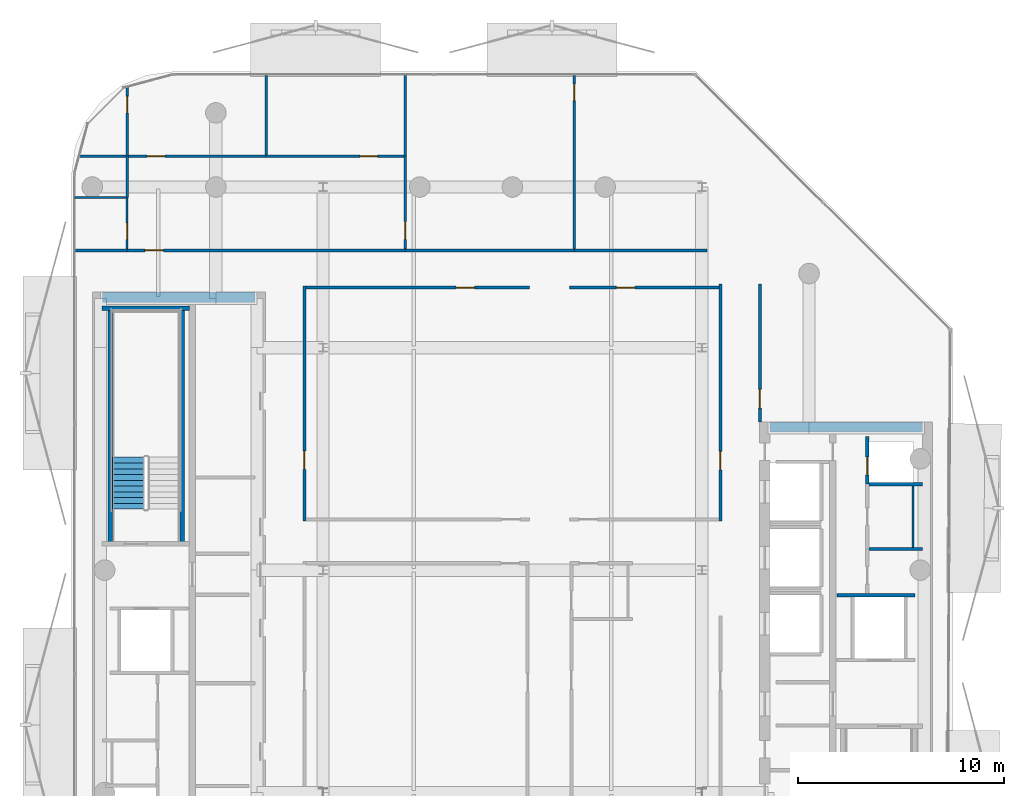
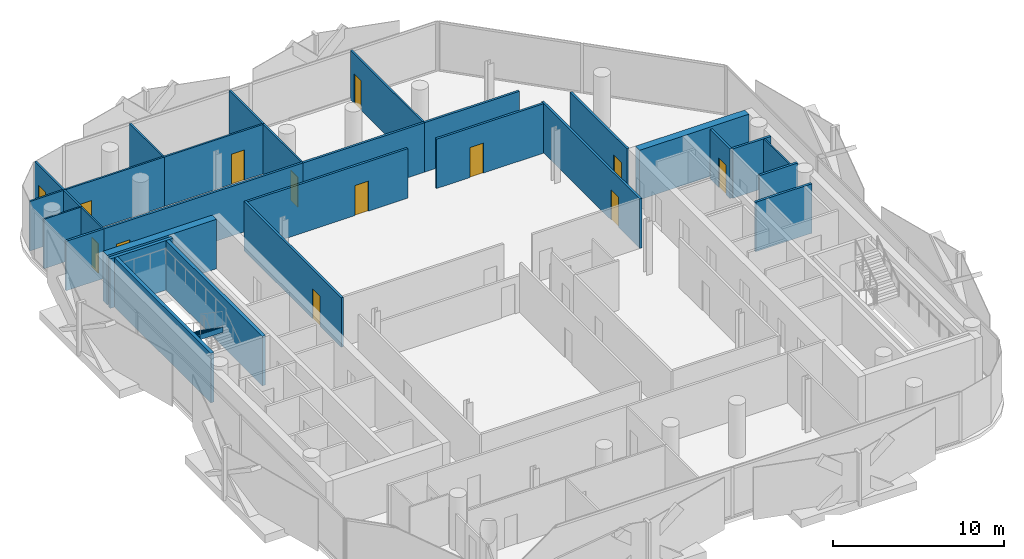
# One storey, part 7 of 16: 29 walls, 13 doors, 1 stair flight, 13 openings, 1 element without a shape of its own.
"""IFC4 building model written with IfcOpenShell, lengths in metres."""

from ifc_helpers import new_model, si_unit, direction, frame, frame_2d, origin, place, context, subcontext, project, spatial, polyline, rectangle, outline, extrude, material, layer, layer_set, type_object, element, fill, aggregate, save


model = new_model("IFC4")

# Units and contexts
model_context = context("Model", 3, precision=1e-05, world=origin(), true_north=direction((0.0, 1.0)))
body_context = subcontext(model_context, "Body", "Model", "MODEL_VIEW")
ifc_project = project(units=[si_unit("LENGTHUNIT", "METRE"), si_unit("AREAUNIT", "SQUARE_METRE"), si_unit("VOLUMEUNIT", "CUBIC_METRE"), si_unit("PLANEANGLEUNIT", "RADIAN"), si_unit("MASSUNIT", "GRAM", prefix="KILO")], contexts=[model_context])

# Site, building, storey
site_placement = place(None, origin())
site = spatial("IfcSite", under=ifc_project, at=site_placement, CompositionType="ELEMENT")
building_placement = place(site_placement, origin())
building = spatial("IfcBuilding", under=site, at=building_placement, Name="Khairoan Windgate Tower", CompositionType="ELEMENT")
storey_placement = place(building_placement, frame((0.0, 0.0, 292.800048828125)))
storey = spatial("IfcBuildingStorey", under=building, at=storey_placement, Name="L70", CompositionType="ELEMENT", Elevation=292.800048828125)

# Wall
ifc_material_1 = material(Name="Moisture-Resistant Gypsum Partition", Category="gypsum")
ifc_layer_1 = layer(ifc_material_1, 0.10009765625, Name="Moisture-Resistant Gypsum Partition")
ifc_layer_set_1 = layer_set([ifc_layer_1], Name="Moisture-Resistant Gypsum Partition")
wall_type_1 = type_object("IfcWallType", Name="Bathroom Wet-Area Partition Wall", PredefinedType="PARTITIONING", material=ifc_layer_set_1)
wall_1_placement = place(storey_placement, frame((-21.2548828125, 18.10009765625, 0.0), z_axis=(0.0, 0.0, 1.0), x_axis=(1.0, 0.0, 0.0)))
element("IfcWall", 1, at=wall_1_placement, inside=storey, type_object=wall_type_1, Name="L70 Interior Partition 039", PredefinedType="PARTITIONING", context=body_context, shape_type="SweptSolid", body=[
    extrude(rectangle(XDim=2.494873046875, YDim=0.10009765625, at=frame_2d((1.24755859375, 0.0))), origin(), (0.0, 0.0, 1.0), 3.5400390625),
])

# Wall, opening, door
wall_2_placement = place(storey_placement, frame((-18.7099609375, 15.60009765625, 0.0), z_axis=(0.0, 0.0, 1.0), x_axis=(0.0, 1.0, 0.0)))
wall_2 = element("IfcWall", 2, at=wall_2_placement, inside=storey, type_object=wall_type_1, Name="L70 Interior Partition 040", PredefinedType="PARTITIONING", context=body_context, shape_type="SweptSolid", body=[
    extrude(rectangle(XDim=2.5, YDim=0.10009765625, at=frame_2d((1.25, 0.0))), origin(), (0.0, 0.0, 1.0), 3.5400390625),
])
opening_1_placement = place(wall_2_placement, frame((0.4599609375, 0.0, 0.0)))
opening_1 = element("IfcOpeningElement", 3, at=opening_1_placement, cuts=wall_2, Name="Opening ID-BTH", PredefinedType="OPENING", context=body_context, shape_type="SweptSolid", body=[
    extrude(rectangle(XDim=0.800048828125, YDim=2.10009765625, at=frame_2d((0.39990234375, 1.050048828125))), frame((0.0, 0.06005859375, 0.0), z_axis=(0.0, -1.0, 0.0), x_axis=(1.0, 0.0, 0.0)), (0.0, 0.0, 1.0), 0.1201171875),
])
ifc_material_2 = material(Name="Teak Veneer Timber Leaf", Category="wood")
door_type_1 = type_object("IfcDoorType", Name="Internal Bathroom Door ID-BTH 800x2100", OperationType="NOTDEFINED", PredefinedType="DOOR", material=ifc_material_2)
door_1_placement = place(opening_1_placement, origin())
door_1 = element("IfcDoor", 4, at=door_1_placement, inside=storey, type_object=door_type_1, Name="L70 L70-35-L70-37 Door", OperationType="SINGLE_SWING_RIGHT", OverallHeight=2.10009765625, OverallWidth=0.800048828125, PredefinedType="DOOR", context=body_context, shape_type="SweptSolid", body=[
    extrude(rectangle(XDim=0.800048828125, YDim=2.10009765625, at=frame_2d((0.39990234375, 1.050048828125))), frame((0.0, 0.02490234375, 0.0), z_axis=(0.0, -1.0, 0.0), x_axis=(1.0, 0.0, 0.0)), (0.0, 0.0, 1.0), 0.050048828125),
])
fill(opening_1, door_1)

# Walls
wall_3_placement = place(storey_placement, frame((19.449951171875, 4.090087890625, 0.0), z_axis=(0.0, 0.0, 1.0), x_axis=(0.0, -1.0, 0.0)))
element("IfcWall", 5, at=wall_3_placement, inside=storey, type_object=wall_type_1, Name="L70 Wet Room Side Wall 061", PredefinedType="PARTITIONING", context=body_context, shape_type="SweptSolid", body=[
    extrude(rectangle(XDim=2.97998046875, YDim=0.10009765625, at=frame_2d((1.489990234375, 0.0))), origin(), (0.0, 0.0, 1.0), 3.5400390625),
])
ifc_material_3 = material(Name="Concrete C40/50", Category="concrete")
ifc_layer_2 = layer(ifc_material_3, 0.159912109375, Name="Concrete C40/50")
ifc_layer_set_2 = layer_set([ifc_layer_2], Name="Concrete C40/50")
wall_type_2 = type_object("IfcWallType", Name="Core and Hoistway Enclosure Wall", PredefinedType="STANDARD", material=ifc_layer_set_2)
wall_4_placement = place(storey_placement, frame((15.75, -1.219970703125, 0.0), z_axis=(0.0, 0.0, 1.0), x_axis=(1.0, 0.0, 0.0)))
element("IfcWall", 6, at=wall_4_placement, inside=storey, type_object=wall_type_2, Name="L70 Core Shaft Wall SW-FL1T-L70", PredefinedType="STANDARD", context=body_context, shape_type="SweptSolid", body=[
    extrude(rectangle(XDim=3.800048828125, YDim=0.159912109375, at=frame_2d((1.89990234375, 0.0))), origin(), (0.0, 0.0, 1.0), 3.5400390625),
])
ifc_material_4 = material(Name="Gypsum Stud Partition", Category="gypsum")
ifc_layer_3 = layer(ifc_material_4, 0.1201171875, Name="Gypsum Stud Partition")
ifc_layer_set_3 = layer_set([ifc_layer_3], Name="Gypsum Stud Partition")
wall_type_3 = type_object("IfcWallType", Name="Internal Room Partition Wall", PredefinedType="PARTITIONING", material=ifc_layer_set_3)
wall_5_placement = place(storey_placement, frame((-18.7099609375, 18.10009765625, 0.0), z_axis=(0.0, 0.0, 1.0), x_axis=(0.0, 1.0, 0.0)))
element("IfcWall", 7, at=wall_5_placement, inside=storey, type_object=wall_type_3, Name="L70 Interior Partition 041", PredefinedType="PARTITIONING", context=body_context, shape_type="SweptSolid", body=[
    extrude(rectangle(XDim=2.0, YDim=0.1201171875, at=frame_2d((1.0, 0.0))), origin(), (0.0, 0.0, 1.0), 3.5400390625),
])

# Wall, opening, door
wall_6_placement = place(storey_placement, frame((-18.7099609375, 20.10009765625, 0.0), z_axis=(0.0, 0.0, 1.0), x_axis=(0.0, 1.0, 0.0)))
wall_6 = element("IfcWall", 8, at=wall_6_placement, inside=storey, type_object=wall_type_3, Name="L70 Interior Partition 042", PredefinedType="PARTITIONING", context=body_context, shape_type="SweptSolid", body=[
    extrude(rectangle(XDim=3.361328125, YDim=0.1201171875, at=frame_2d((1.6806640625, 0.0))), origin(), (0.0, 0.0, 1.0), 3.5400390625),
])
opening_2_placement = place(wall_6_placement, frame((2.1015625, 0.0, 0.0)))
opening_2 = element("IfcOpeningElement", 9, at=opening_2_placement, cuts=wall_6, Name="Opening ID-BTH", PredefinedType="OPENING", context=body_context, shape_type="SweptSolid", body=[
    extrude(rectangle(XDim=0.800048828125, YDim=2.10009765625, at=frame_2d((0.39990234375, 1.050048828125))), frame((0.0, 0.070068359375, 0.0), z_axis=(0.0, -1.0, 0.0), x_axis=(1.0, 0.0, 0.0)), (0.0, 0.0, 1.0), 0.14013671875),
])
door_2_placement = place(opening_2_placement, origin())
door_2 = element("IfcDoor", 10, at=door_2_placement, inside=storey, type_object=door_type_1, Name="L70 L70-36-L70-40 Door", OperationType="SINGLE_SWING_LEFT", OverallHeight=2.10009765625, OverallWidth=0.800048828125, PredefinedType="DOOR", context=body_context, shape_type="SweptSolid", body=[
    extrude(rectangle(XDim=0.800048828125, YDim=2.10009765625, at=frame_2d((0.39990234375, 1.050048828125))), frame((0.0, 0.02490234375, 0.0), z_axis=(0.0, -1.0, 0.0), x_axis=(1.0, 0.0, 0.0)), (0.0, 0.0, 1.0), 0.050048828125),
])
fill(opening_2, door_2)

wall_7_placement = place(storey_placement, frame((-5.2099609375, 15.60009765625, 0.0), z_axis=(0.0, 0.0, 1.0), x_axis=(0.0, 1.0, 0.0)))
wall_7 = element("IfcWall", 11, at=wall_7_placement, inside=storey, type_object=wall_type_3, Name="L70 Interior Partition 043", PredefinedType="PARTITIONING", context=body_context, shape_type="SweptSolid", body=[
    extrude(rectangle(XDim=4.5, YDim=0.1201171875, at=frame_2d((2.25, 0.0))), origin(), (0.0, 0.0, 1.0), 3.5400390625),
])
opening_3_placement = place(wall_7_placement, frame((0.4599609375, 0.0, 0.0)))
opening_3 = element("IfcOpeningElement", 12, at=opening_3_placement, cuts=wall_7, Name="Opening ID-RM", PredefinedType="OPENING", context=body_context, shape_type="SweptSolid", body=[
    extrude(rectangle(XDim=0.860107421875, YDim=2.14990234375, at=frame_2d((0.43017578125, 1.074951171875))), frame((0.0, 0.070068359375, 0.0), z_axis=(0.0, -1.0, 0.0), x_axis=(1.0, 0.0, 0.0)), (0.0, 0.0, 1.0), 0.14013671875),
])
ifc_material_5 = material(Name="Teak Veneer Timber Leaf", Category="wood")
door_type_2 = type_object("IfcDoorType", Name="Internal Bedroom and Office Door ID-RM 860x2150", OperationType="NOTDEFINED", PredefinedType="DOOR", material=ifc_material_5)
door_3_placement = place(opening_3_placement, origin())
door_3 = element("IfcDoor", 13, at=door_3_placement, inside=storey, type_object=door_type_2, Name="L70 L70-37-L70-38 Door", OperationType="SINGLE_SWING_RIGHT", OverallHeight=2.14990234375, OverallWidth=0.860107421875, PredefinedType="DOOR", context=body_context, shape_type="SweptSolid", body=[
    extrude(rectangle(XDim=0.860107421875, YDim=2.14990234375, at=frame_2d((0.43017578125, 1.074951171875))), frame((0.0, 0.02490234375, 0.0), z_axis=(0.0, -1.0, 0.0), x_axis=(1.0, 0.0, 0.0)), (0.0, 0.0, 1.0), 0.050048828125),
])
fill(opening_3, door_3)

wall_8_placement = place(storey_placement, frame((-21.03857421875, 20.10009765625, 0.0), z_axis=(0.0, 0.0, 1.0), x_axis=(1.0, 0.0, 0.0)))
wall_8 = element("IfcWall", 14, at=wall_8_placement, inside=storey, type_object=wall_type_3, Name="L70 Interior Partition 044", PredefinedType="PARTITIONING", context=body_context, shape_type="SweptSolid", body=[
    extrude(rectangle(XDim=9.07861328125, YDim=0.1201171875, at=frame_2d((4.539306640625, 0.0))), origin(), (0.0, 0.0, 1.0), 3.5400390625),
])
opening_4_placement = place(wall_8_placement, frame((3.29833984375, 0.0, 0.0)))
opening_4 = element("IfcOpeningElement", 15, at=opening_4_placement, cuts=wall_8, Name="Opening ID-RM", PredefinedType="OPENING", context=body_context, shape_type="SweptSolid", body=[
    extrude(rectangle(XDim=0.860107421875, YDim=2.14990234375, at=frame_2d((0.43017578125, 1.074951171875))), frame((0.0, 0.070068359375, 0.0), z_axis=(0.0, -1.0, 0.0), x_axis=(1.0, 0.0, 0.0)), (0.0, 0.0, 1.0), 0.14013671875),
])
door_4_placement = place(opening_4_placement, origin())
door_4 = element("IfcDoor", 16, at=door_4_placement, inside=storey, type_object=door_type_2, Name="L70 L70-37-L70-40 Door", OperationType="SINGLE_SWING_LEFT", OverallHeight=2.14990234375, OverallWidth=0.860107421875, PredefinedType="DOOR", context=body_context, shape_type="SweptSolid", body=[
    extrude(rectangle(XDim=0.860107421875, YDim=2.14990234375, at=frame_2d((0.43017578125, 1.074951171875))), frame((0.0, 0.02490234375, 0.0), z_axis=(0.0, -1.0, 0.0), x_axis=(1.0, 0.0, 0.0)), (0.0, 0.0, 1.0), 0.050048828125),
])
fill(opening_4, door_4)

wall_9_placement = place(storey_placement, frame((-11.9599609375, 20.10009765625, 0.0), z_axis=(0.0, 0.0, 1.0), x_axis=(1.0, 0.0, 0.0)))
wall_9 = element("IfcWall", 17, at=wall_9_placement, inside=storey, type_object=wall_type_3, Name="L70 Interior Partition 045", PredefinedType="PARTITIONING", context=body_context, shape_type="SweptSolid", body=[
    extrude(rectangle(XDim=6.68994140625, YDim=0.1201171875, at=frame_2d((3.344970703125, 0.0))), origin(), (0.0, 0.0, 1.0), 3.5400390625),
])
opening_5_placement = place(wall_9_placement, frame((4.5517578125, 0.0, 0.0)))
opening_5 = element("IfcOpeningElement", 18, at=opening_5_placement, cuts=wall_9, Name="Opening ID-RM", PredefinedType="OPENING", context=body_context, shape_type="SweptSolid", body=[
    extrude(rectangle(XDim=0.860107421875, YDim=2.14990234375, at=frame_2d((0.43017578125, 1.074951171875))), frame((0.0, 0.070068359375, 0.0), z_axis=(0.0, -1.0, 0.0), x_axis=(1.0, 0.0, 0.0)), (0.0, 0.0, 1.0), 0.14013671875),
])
door_5_placement = place(opening_5_placement, origin())
door_5 = element("IfcDoor", 19, at=door_5_placement, inside=storey, type_object=door_type_2, Name="L70 L70-37-L70-41 Door", OperationType="SINGLE_SWING_RIGHT", OverallHeight=2.14990234375, OverallWidth=0.860107421875, PredefinedType="DOOR", context=body_context, shape_type="SweptSolid", body=[
    extrude(rectangle(XDim=0.860107421875, YDim=2.14990234375, at=frame_2d((0.43017578125, 1.074951171875))), frame((0.0, 0.02490234375, 0.0), z_axis=(0.0, -1.0, 0.0), x_axis=(1.0, 0.0, 0.0)), (0.0, 0.0, 1.0), 0.050048828125),
])
fill(opening_5, door_5)

wall_10_placement = place(storey_placement, frame((3.0048828125, 15.60009765625, 0.0), z_axis=(0.0, 0.0, 1.0), x_axis=(0.0, 1.0, 0.0)))
wall_10 = element("IfcWall", 20, at=wall_10_placement, inside=storey, type_object=wall_type_3, Name="L70 Interior Partition 046", PredefinedType="PARTITIONING", context=body_context, shape_type="SweptSolid", body=[
    extrude(rectangle(XDim=8.454833984375, YDim=0.1201171875, at=frame_2d((4.2275390625, 0.0))), origin(), (0.0, 0.0, 1.0), 3.5400390625),
])
opening_6_placement = place(wall_10_placement, frame((7.195068359375, 0.0, 0.0)))
opening_6 = element("IfcOpeningElement", 21, at=opening_6_placement, cuts=wall_10, Name="Opening ID-BTH", PredefinedType="OPENING", context=body_context, shape_type="SweptSolid", body=[
    extrude(rectangle(XDim=0.800048828125, YDim=2.10009765625, at=frame_2d((0.39990234375, 1.050048828125))), frame((0.0, 0.070068359375, 0.0), z_axis=(0.0, -1.0, 0.0), x_axis=(1.0, 0.0, 0.0)), (0.0, 0.0, 1.0), 0.14013671875),
])
door_6_placement = place(opening_6_placement, origin())
door_6 = element("IfcDoor", 22, at=door_6_placement, inside=storey, type_object=door_type_1, Name="L70 L70-38-L70-39 Door", OperationType="SINGLE_SWING_RIGHT", OverallHeight=2.10009765625, OverallWidth=0.800048828125, PredefinedType="DOOR", context=body_context, shape_type="SweptSolid", body=[
    extrude(rectangle(XDim=0.800048828125, YDim=2.10009765625, at=frame_2d((0.39990234375, 1.050048828125))), frame((0.0, 0.02490234375, 0.0), z_axis=(0.0, -1.0, 0.0), x_axis=(1.0, 0.0, 0.0)), (0.0, 0.0, 1.0), 0.050048828125),
])
fill(opening_6, door_6)

# Walls
wall_11_placement = place(storey_placement, frame((-5.2099609375, 20.10009765625, 0.0), z_axis=(0.0, 0.0, 1.0), x_axis=(0.0, 1.0, 0.0)))
element("IfcWall", 23, at=wall_11_placement, inside=storey, type_object=wall_type_3, Name="L70 Interior Partition 047", PredefinedType="PARTITIONING", context=body_context, shape_type="SweptSolid", body=[
    extrude(rectangle(XDim=3.954833984375, YDim=0.1201171875, at=frame_2d((1.9775390625, 0.0))), origin(), (0.0, 0.0, 1.0), 3.5400390625),
])
wall_12_placement = place(storey_placement, frame((-11.9599609375, 20.159912109375, 0.0), z_axis=(0.0, 0.0, 1.0), x_axis=(0.0, 1.0, 0.0)))
element("IfcWall", 24, at=wall_12_placement, inside=storey, type_object=wall_type_3, Name="L70 Interior Partition 048", PredefinedType="PARTITIONING", context=body_context, shape_type="SweptSolid", body=[
    extrude(rectangle(XDim=3.89501953125, YDim=0.1201171875, at=frame_2d((1.947509765625, 0.0))), origin(), (0.0, 0.0, 1.0), 3.5400390625),
])

# Wall, opening, door
ifc_material_6 = material(Name="Concrete C40/50", Category="concrete")
ifc_layer_4 = layer(ifc_material_6, 0.159912109375, Name="Concrete C40/50")
ifc_layer_set_4 = layer_set([ifc_layer_4], Name="Concrete C40/50")
wall_type_4 = type_object("IfcWallType", Name="Plant and Refuge Compartment Wall", PredefinedType="PARTITIONING", material=ifc_layer_set_4)
wall_13_placement = place(storey_placement, frame((17.22998046875, 4.169921875, 0.0), z_axis=(0.0, 0.0, 1.0), x_axis=(0.0, 1.0, 0.0)))
wall_13 = element("IfcWall", 25, at=wall_13_placement, inside=storey, type_object=wall_type_4, Name="L70 Interior Partition 008", PredefinedType="PARTITIONING", context=body_context, shape_type="SweptSolid", body=[
    extrude(rectangle(XDim=2.320068359375, YDim=0.159912109375, at=frame_2d((1.16015625, 0.0))), origin(), (0.0, 0.0, 1.0), 3.5400390625),
])
opening_7_placement = place(wall_13_placement, frame((0.4599609375, 0.0, 0.0)))
opening_7 = element("IfcOpeningElement", 26, at=opening_7_placement, cuts=wall_13, Name="Opening FD-SRV", PredefinedType="OPENING", context=body_context, shape_type="SweptSolid", body=[
    extrude(rectangle(XDim=0.85009765625, YDim=2.10009765625, at=frame_2d((0.425048828125, 1.050048828125))), frame((0.0, 0.08984375, 0.0), z_axis=(0.0, -1.0, 0.0), x_axis=(1.0, 0.0, 0.0)), (0.0, 0.0, 1.0), 0.179931640625),
])
ifc_material_7 = material(Name="Steel S355", Category="steel")
door_type_3 = type_object("IfcDoorType", Name="Core Service and Riser Fire Door FD-SRV 850x2100", OperationType="NOTDEFINED", PredefinedType="DOOR", material=ifc_material_7)
door_7_placement = place(opening_7_placement, origin())
door_7 = element("IfcDoor", 27, at=door_7_placement, inside=storey, type_object=door_type_3, Name="L70 L70-17-L70-18 Door", OperationType="SINGLE_SWING_LEFT", OverallHeight=2.10009765625, OverallWidth=0.85009765625, PredefinedType="DOOR", context=body_context, shape_type="SweptSolid", body=[
    extrude(rectangle(XDim=0.85009765625, YDim=2.10009765625, at=frame_2d((0.425048828125, 1.050048828125))), frame((0.0, 0.02490234375, 0.0), z_axis=(0.0, -1.0, 0.0), x_axis=(1.0, 0.0, 0.0)), (0.0, 0.0, 1.0), 0.050048828125),
])
fill(opening_7, door_7)

# Walls
for number, where, z_axis, x_axis, name in (
    (28, (17.31005859375, 4.169921875, 0.0), (0.0, 0.0, 1.0), (1.0, 0.0, 0.0), "L70 Interior Partition 011"),
    (29, (17.31005859375, 1.030029296875, 0.0), (0.0, 0.0, 1.0), (1.0, 0.0, 0.0), "L70 Interior Partition 012"),
):
    element("IfcWall", number, at=place(storey_placement, frame(where, z_axis=z_axis, x_axis=x_axis)), inside=storey, type_object=wall_type_4, Name=name, PredefinedType="PARTITIONING", context=body_context, shape_type="SweptSolid", body=[
        extrude(rectangle(XDim=2.58984375, YDim=0.159912109375, at=frame_2d((1.294921875, 0.0))), origin(), (0.0, 0.0, 1.0), 3.5400390625),
    ])

# Wall, opening, door
ifc_material_8 = material(Name="Acoustic Fire-Rated Gypsum Partition", Category="gypsum")
ifc_layer_5 = layer(ifc_material_8, 0.14990234375, Name="Acoustic Fire-Rated Gypsum Partition")
ifc_layer_set_5 = layer_set([ifc_layer_5], Name="Acoustic Fire-Rated Gypsum Partition")
wall_type_5 = type_object("IfcWallType", Name="Rated Corridor Partition Wall", PredefinedType="PARTITIONING", material=ifc_layer_set_5)
wall_14_placement = place(storey_placement, frame((-10.10009765625, 2.389892578125, 0.0), z_axis=(0.0, 0.0, 1.0), x_axis=(0.0, 1.0, 0.0)))
wall_14 = element("IfcWall", 30, at=wall_14_placement, inside=storey, type_object=wall_type_5, Name="L70 Interior Partition 015", PredefinedType="PARTITIONING", context=body_context, shape_type="SweptSolid", body=[
    extrude(rectangle(XDim=11.405029296875, YDim=0.14990234375, at=frame_2d((5.70263671875, 0.0))), origin(), (0.0, 0.0, 1.0), 3.5400390625),
])
opening_8_placement = place(wall_14_placement, frame((2.49951171875, 0.0, 0.0)))
opening_8 = element("IfcOpeningElement", 31, at=opening_8_placement, cuts=wall_14, Name="Opening FD-ENT", PredefinedType="OPENING", context=body_context, shape_type="SweptSolid", body=[
    extrude(rectangle(XDim=0.89990234375, YDim=2.14990234375, at=frame_2d((0.449951171875, 1.074951171875))), frame((0.0, 0.0849609375, 0.0), z_axis=(0.0, -1.0, 0.0), x_axis=(1.0, 0.0, 0.0)), (0.0, 0.0, 1.0), 0.169921875),
])
ifc_material_9 = material(Name="Timber Fire-Rated Core", Category="wood")
door_type_4 = type_object("IfcDoorType", Name="Unit and Office Fire Entrance Door FD-ENT 900x2150", OperationType="NOTDEFINED", PredefinedType="DOOR", material=ifc_material_9)
door_8_placement = place(opening_8_placement, origin())
door_8 = element("IfcDoor", 32, at=door_8_placement, inside=storey, type_object=door_type_4, Name="L70 L70-29-L70-50 Door", OperationType="SINGLE_SWING_RIGHT", OverallHeight=2.14990234375, OverallWidth=0.89990234375, PredefinedType="DOOR", context=body_context, shape_type="SweptSolid", body=[
    extrude(rectangle(XDim=0.89990234375, YDim=2.14990234375, at=frame_2d((0.449951171875, 1.074951171875))), frame((0.0, 0.02490234375, 0.0), z_axis=(0.0, -1.0, 0.0), x_axis=(1.0, 0.0, 0.0)), (0.0, 0.0, 1.0), 0.050048828125),
])
fill(opening_8, door_8)

wall_15_placement = place(storey_placement, frame((12.014892578125, 7.199951171875, 0.0), z_axis=(0.0, 0.0, 1.0), x_axis=(0.0, 1.0, 0.0)))
wall_15 = element("IfcWall", 33, at=wall_15_placement, inside=storey, type_object=wall_type_5, Name="L70 Interior Partition 017", PredefinedType="PARTITIONING", context=body_context, shape_type="SweptSolid", body=[
    extrude(rectangle(XDim=6.679931640625, YDim=0.14990234375, at=frame_2d((3.33984375, 0.0))), origin(), (0.0, 0.0, 1.0), 3.5400390625),
])
opening_9_placement = place(wall_15_placement, frame((0.669921875, 0.0, 0.0)))
opening_9 = element("IfcOpeningElement", 34, at=opening_9_placement, cuts=wall_15, Name="Opening FD-ENT", PredefinedType="OPENING", context=body_context, shape_type="SweptSolid", body=[
    extrude(rectangle(XDim=0.89990234375, YDim=2.14990234375, at=frame_2d((0.449951171875, 1.074951171875))), frame((0.0, 0.0849609375, 0.0), z_axis=(0.0, -1.0, 0.0), x_axis=(1.0, 0.0, 0.0)), (0.0, 0.0, 1.0), 0.169921875),
])
door_9_placement = place(opening_9_placement, origin())
door_9 = element("IfcDoor", 35, at=door_9_placement, inside=storey, type_object=door_type_4, Name="L70 L70-30-L70-49 Door", OperationType="SINGLE_SWING_RIGHT", OverallHeight=2.14990234375, OverallWidth=0.89990234375, PredefinedType="DOOR", context=body_context, shape_type="SweptSolid", body=[
    extrude(rectangle(XDim=0.89990234375, YDim=2.14990234375, at=frame_2d((0.449951171875, 1.074951171875))), frame((0.0, 0.02490234375, 0.0), z_axis=(0.0, -1.0, 0.0), x_axis=(1.0, 0.0, 0.0)), (0.0, 0.0, 1.0), 0.050048828125),
])
fill(opening_9, door_9)

wall_16_placement = place(storey_placement, frame((10.10009765625, 2.389892578125, 0.0), z_axis=(0.0, 0.0, 1.0), x_axis=(0.0, 1.0, 0.0)))
wall_16 = element("IfcWall", 36, at=wall_16_placement, inside=storey, type_object=wall_type_5, Name="L70 Interior Partition 018", PredefinedType="PARTITIONING", context=body_context, shape_type="SweptSolid", body=[
    extrude(rectangle(XDim=11.489990234375, YDim=0.14990234375, at=frame_2d((5.7451171875, 0.0))), origin(), (0.0, 0.0, 1.0), 3.5400390625),
])
opening_10_placement = place(wall_16_placement, frame((2.474609375, 0.0, 0.0)))
opening_10 = element("IfcOpeningElement", 37, at=opening_10_placement, cuts=wall_16, Name="Opening FD-ENT", PredefinedType="OPENING", context=body_context, shape_type="SweptSolid", body=[
    extrude(rectangle(XDim=0.89990234375, YDim=2.14990234375, at=frame_2d((0.449951171875, 1.074951171875))), frame((0.0, 0.0849609375, 0.0), z_axis=(0.0, -1.0, 0.0), x_axis=(1.0, 0.0, 0.0)), (0.0, 0.0, 1.0), 0.169921875),
])
door_10_placement = place(opening_10_placement, origin())
door_10 = element("IfcDoor", 38, at=door_10_placement, inside=storey, type_object=door_type_4, Name="L70 L70-30-L70-52 Door", OperationType="SINGLE_SWING_LEFT", OverallHeight=2.14990234375, OverallWidth=0.89990234375, PredefinedType="DOOR", context=body_context, shape_type="SweptSolid", body=[
    extrude(rectangle(XDim=0.89990234375, YDim=2.14990234375, at=frame_2d((0.449951171875, 1.074951171875))), frame((0.0, 0.02490234375, 0.0), z_axis=(0.0, -1.0, 0.0), x_axis=(1.0, 0.0, 0.0)), (0.0, 0.0, 1.0), 0.050048828125),
])
fill(opening_10, door_10)

# Wall
wall_17_placement = place(storey_placement, frame((-21.2548828125, 15.52490234375, 0.0), z_axis=(0.0, 0.0, 1.0), x_axis=(1.0, 0.0, 0.0)))
element("IfcWall", 39, at=wall_17_placement, inside=storey, type_object=wall_type_5, Name="L70 Interior Partition 027", PredefinedType="PARTITIONING", context=body_context, shape_type="SweptSolid", body=[
    extrude(rectangle(XDim=2.544921875, YDim=0.14990234375, at=frame_2d((1.2724609375, 0.0))), origin(), (0.0, 0.0, 1.0), 3.5400390625),
])

# Wall, opening, door
wall_18_placement = place(storey_placement, frame((-18.7099609375, 15.52490234375, 0.0), z_axis=(0.0, 0.0, 1.0), x_axis=(1.0, 0.0, 0.0)))
wall_18 = element("IfcWall", 40, at=wall_18_placement, inside=storey, type_object=wall_type_5, Name="L70 Interior Partition 028", PredefinedType="PARTITIONING", context=body_context, shape_type="SweptSolid", body=[
    extrude(rectangle(XDim=13.5, YDim=0.14990234375, at=frame_2d((6.75, 0.0))), origin(), (0.0, 0.0, 1.0), 3.5400390625),
])
opening_11_placement = place(wall_18_placement, frame((0.86279296875, 0.0, 0.0)))
opening_11 = element("IfcOpeningElement", 41, at=opening_11_placement, cuts=wall_18, Name="Opening FD-ENT", PredefinedType="OPENING", context=body_context, shape_type="SweptSolid", body=[
    extrude(rectangle(XDim=0.89990234375, YDim=2.14990234375, at=frame_2d((0.449951171875, 1.074951171875))), frame((0.0, 0.0849609375, 0.0), z_axis=(0.0, -1.0, 0.0), x_axis=(1.0, 0.0, 0.0)), (0.0, 0.0, 1.0), 0.169921875),
])
door_11_placement = place(opening_11_placement, origin())
door_11 = element("IfcDoor", 42, at=door_11_placement, inside=storey, type_object=door_type_4, Name="L70 L70-33-L70-37 Door", OperationType="SINGLE_SWING_RIGHT", OverallHeight=2.14990234375, OverallWidth=0.89990234375, PredefinedType="DOOR", context=body_context, shape_type="SweptSolid", body=[
    extrude(rectangle(XDim=0.89990234375, YDim=2.14990234375, at=frame_2d((0.449951171875, 1.074951171875))), frame((0.0, 0.02490234375, 0.0), z_axis=(0.0, -1.0, 0.0), x_axis=(1.0, 0.0, 0.0)), (0.0, 0.0, 1.0), 0.050048828125),
])
fill(opening_11, door_11)

# Walls
wall_19_placement = place(storey_placement, frame((-5.2099609375, 15.52490234375, 0.0), z_axis=(0.0, 0.0, 1.0), x_axis=(1.0, 0.0, 0.0)))
element("IfcWall", 43, at=wall_19_placement, inside=storey, type_object=wall_type_5, Name="L70 Interior Partition 029", PredefinedType="PARTITIONING", context=body_context, shape_type="SweptSolid", body=[
    extrude(rectangle(XDim=8.21484375, YDim=0.14990234375, at=frame_2d((4.107421875, 0.0))), origin(), (0.0, 0.0, 1.0), 3.5400390625),
])
wall_20_placement = place(storey_placement, frame((3.0048828125, 15.52490234375, 0.0), z_axis=(0.0, 0.0, 1.0), x_axis=(1.0, 0.0, 0.0)))
element("IfcWall", 44, at=wall_20_placement, inside=storey, type_object=wall_type_5, Name="L70 Interior Partition 030", PredefinedType="PARTITIONING", context=body_context, shape_type="SweptSolid", body=[
    extrude(rectangle(XDim=6.43505859375, YDim=0.14990234375, at=frame_2d((3.217529296875, 0.0))), origin(), (0.0, 0.0, 1.0), 3.5400390625),
])

# Wall, opening, door
wall_21_placement = place(storey_placement, frame((-10.02490234375, 13.719970703125, 0.0), z_axis=(0.0, 0.0, 1.0), x_axis=(1.0, 0.0, 0.0)))
wall_21 = element("IfcWall", 45, at=wall_21_placement, inside=storey, type_object=wall_type_5, Name="L70 Interior Partition 031", PredefinedType="PARTITIONING", context=body_context, shape_type="SweptSolid", body=[
    extrude(rectangle(XDim=10.85498046875, YDim=0.14990234375, at=frame_2d((5.427490234375, 0.0))), origin(), (0.0, 0.0, 1.0), 3.5400390625),
])
opening_12_placement = place(wall_21_placement, frame((7.286376953125, 0.0, 0.0)))
opening_12 = element("IfcOpeningElement", 46, at=opening_12_placement, cuts=wall_21, Name="Opening FD-ENT", PredefinedType="OPENING", context=body_context, shape_type="SweptSolid", body=[
    extrude(rectangle(XDim=0.89990234375, YDim=2.14990234375, at=frame_2d((0.449951171875, 1.074951171875))), frame((0.0, 0.0849609375, 0.0), z_axis=(0.0, -1.0, 0.0), x_axis=(1.0, 0.0, 0.0)), (0.0, 0.0, 1.0), 0.169921875),
])
door_12_placement = place(opening_12_placement, origin())
door_12 = element("IfcDoor", 47, at=door_12_placement, inside=storey, type_object=door_type_4, Name="L70 L70-33-L70-50 Door", OperationType="SINGLE_SWING_LEFT", OverallHeight=2.14990234375, OverallWidth=0.89990234375, PredefinedType="DOOR", context=body_context, shape_type="SweptSolid", body=[
    extrude(rectangle(XDim=0.89990234375, YDim=2.14990234375, at=frame_2d((0.449951171875, 1.074951171875))), frame((0.0, 0.02490234375, 0.0), z_axis=(0.0, -1.0, 0.0), x_axis=(1.0, 0.0, 0.0)), (0.0, 0.0, 1.0), 0.050048828125),
])
fill(opening_12, door_12)

wall_22_placement = place(storey_placement, frame((2.77001953125, 13.719970703125, 0.0), z_axis=(0.0, 0.0, 1.0), x_axis=(1.0, 0.0, 0.0)))
wall_22 = element("IfcWall", 48, at=wall_22_placement, inside=storey, type_object=wall_type_5, Name="L70 Interior Partition 032", PredefinedType="PARTITIONING", context=body_context, shape_type="SweptSolid", body=[
    extrude(rectangle(XDim=7.2548828125, YDim=0.14990234375, at=frame_2d((3.62744140625, 0.0))), origin(), (0.0, 0.0, 1.0), 3.5400390625),
])
opening_13_placement = place(wall_22_placement, frame((2.27880859375, 0.0, 0.0)))
opening_13 = element("IfcOpeningElement", 49, at=opening_13_placement, cuts=wall_22, Name="Opening FD-ENT", PredefinedType="OPENING", context=body_context, shape_type="SweptSolid", body=[
    extrude(rectangle(XDim=0.89990234375, YDim=2.14990234375, at=frame_2d((0.449951171875, 1.074951171875))), frame((0.0, 0.0849609375, 0.0), z_axis=(0.0, -1.0, 0.0), x_axis=(1.0, 0.0, 0.0)), (0.0, 0.0, 1.0), 0.169921875),
])
door_13_placement = place(opening_13_placement, origin())
door_13 = element("IfcDoor", 50, at=door_13_placement, inside=storey, type_object=door_type_4, Name="L70 L70-33-L70-52 Door", OperationType="SINGLE_SWING_RIGHT", OverallHeight=2.14990234375, OverallWidth=0.89990234375, PredefinedType="DOOR", context=body_context, shape_type="SweptSolid", body=[
    extrude(rectangle(XDim=0.89990234375, YDim=2.14990234375, at=frame_2d((0.449951171875, 1.074951171875))), frame((0.0, 0.02490234375, 0.0), z_axis=(0.0, -1.0, 0.0), x_axis=(1.0, 0.0, 0.0)), (0.0, 0.0, 1.0), 0.050048828125),
])
fill(opening_13, door_13)

# Walls
ifc_material_10 = material(Name="Concrete C50/60", Category="concrete")
ifc_layer_6 = layer(ifc_material_10, 0.5, Name="Concrete C50/60")
ifc_layer_set_6 = layer_set([ifc_layer_6], Name="Concrete C50/60")
wall_type_6 = type_object("IfcWallType", Name="Shear Wall CW-E3 500mm", PredefinedType="SHEAR", material=ifc_layer_set_6)
wall_23_placement = place(storey_placement, frame((12.5, 6.949951171875, 0.0), z_axis=(0.0, 0.0, 1.0), x_axis=(1.0, 0.0, 0.0)))
element("IfcWall", 51, at=wall_23_placement, inside=storey, type_object=wall_type_6, Name="E Core North Shear Wall L70", PredefinedType="SHEAR", context=body_context, shape_type="SweptSolid", body=[
    extrude(rectangle(XDim=7.39990234375, YDim=0.5, at=frame_2d((3.699951171875, 0.0))), origin(), (0.0, 0.0, 1.0), 3.5400390625),
])
ifc_material_11 = material(Name="Concrete C50/60", Category="concrete")
ifc_layer_7 = layer(ifc_material_11, 0.5, Name="Concrete C50/60")
ifc_layer_set_7 = layer_set([ifc_layer_7], Name="Concrete C50/60")
wall_type_7 = type_object("IfcWallType", Name="Shear Wall CW-W3 500mm", PredefinedType="SHEAR", material=ifc_layer_set_7)
wall_24_placement = place(storey_placement, frame((-19.89990234375, 13.25, 0.0), z_axis=(0.0, 0.0, 1.0), x_axis=(1.0, 0.0, 0.0)))
element("IfcWall", 52, at=wall_24_placement, inside=storey, type_object=wall_type_7, Name="W Core North Shear Wall L70", PredefinedType="SHEAR", context=body_context, shape_type="SweptSolid", body=[
    extrude(rectangle(XDim=7.39990234375, YDim=0.5, at=frame_2d((3.699951171875, 0.0))), origin(), (0.0, 0.0, 1.0), 3.5400390625),
])
ifc_material_12 = material(Name="Concrete C50/60", Category="concrete")
ifc_layer_8 = layer(ifc_material_12, 0.219970703125, Name="Concrete C50/60")
ifc_layer_set_8 = layer_set([ifc_layer_8], Name="Concrete C50/60")
wall_type_8 = type_object("IfcWallType", Name="Shear Wall SW-ST 220mm", PredefinedType="SHEAR", material=ifc_layer_set_8)
for number, where, z_axis, x_axis, name in (
    (53, (-16.0400390625, 1.2900390625, 0.0), (0.0, 0.0, 1.0), (0.0, 1.0, 0.0), "L70 Stair ST2 East Bearing Wall"),
    (54, (-19.530029296875, 1.2900390625, 0.0), (0.0, 0.0, 1.0), (0.0, 1.0, 0.0), "L70 Stair ST2 West Bearing Wall"),
):
    element("IfcWall", number, at=place(storey_placement, frame(where, z_axis=z_axis, x_axis=x_axis)), inside=storey, type_object=wall_type_8, Name=name, PredefinedType="SHEAR", context=body_context, shape_type="SweptSolid", body=[
        extrude(rectangle(XDim=11.419921875, YDim=0.219970703125, at=frame_2d((5.7099609375, 0.0))), origin(), (0.0, 0.0, 1.0), 3.5400390625),
    ])
wall_25_placement = place(storey_placement, frame((-19.919921875, 12.7099609375, 0.0), z_axis=(0.0, 0.0, 1.0), x_axis=(1.0, 0.0, 0.0)))
element("IfcWall", 55, at=wall_25_placement, inside=storey, type_object=wall_type_8, Name="L70 Stair ST2 North Bearing Wall", PredefinedType="SHEAR", context=body_context, shape_type="SweptSolid", body=[
    extrude(rectangle(XDim=4.239990234375, YDim=0.219970703125, at=frame_2d((2.1201171875, 0.0))), origin(), (0.0, 0.0, 1.0), 3.5400390625),
])

# Stair, stair flight
ifc_material_13 = material(Name="Concrete C40/50", Category="concrete")
stair_type = type_object("IfcStairType", Name="Tower Core Dog-Leg Stair ST-T1 1560mm", PredefinedType="HALF_TURN_STAIR", material=ifc_material_13)
stair_placement = place(storey_placement, origin())
stair = element("IfcStair", 56, at=stair_placement, inside=storey, type_object=stair_type, Name="L70 Stair ST2", PredefinedType="HALF_TURN_STAIR")
ifc_material_14 = material(Name="Concrete C40/50", Category="concrete")
ifc_layer_9 = layer(ifc_material_14, 0.14990234375, Name="Concrete C40/50")
ifc_layer_set_9 = layer_set([ifc_layer_9], Name="Concrete C40/50")
stair_flight_type = type_object("IfcStairFlightType", Name="Tower Core Stair Flight STF-1560", PredefinedType="STRAIGHT", material=ifc_layer_set_9)
stair_flight_placement = place(storey_placement, frame((-18.639892578125, 5.47998046875, 1.89990234375), z_axis=(0.0, 0.0, 1.0), x_axis=(0.0, -1.0, 0.0)))
stair_flight = element("IfcStairFlight", 57, at=stair_flight_placement, type_object=stair_flight_type, Name="ST2 flight 2", NumberOfRisers=10, NumberOfTreads=9, PredefinedType="STRAIGHT", RiserHeight=0.19, TreadLength=0.28, context=body_context, shape_type="SweptSolid", body=[
    extrude(outline(polyline([(-0.00390625, 0.0), (-0.00390625, 0.18994140625), (0.0, 0.18994140625), (0.280029296875, 0.18994140625), (0.280029296875, 0.3798828125), (0.56005859375, 0.3798828125), (0.56005859375, 0.570068359375), (0.840087890625, 0.570068359375), (0.840087890625, 0.760009765625), (1.1201171875, 0.760009765625), (1.1201171875, 0.949951171875), (1.39990234375, 0.949951171875), (1.39990234375, 1.139892578125), (1.679931640625, 1.139892578125), (1.679931640625, 1.330078125), (1.9599609375, 1.330078125), (1.9599609375, 1.52001953125), (2.239990234375, 1.52001953125), (2.239990234375, 1.7099609375), (2.52001953125, 1.7099609375), (2.52001953125, 1.89990234375), (2.52392578125, 1.89990234375), (2.52392578125, 1.52880859375), (0.266845703125, 0.0), (-0.00390625, 0.0)])), frame((0.0, 0.780029296875, 0.0), z_axis=(0.0, -1.0, 0.0), x_axis=(1.0, 0.0, 0.0)), (0.0, 0.0, 1.0), 1.56005859375),
])
aggregate(stair, [stair_flight])

save(model, "model.ifc")
